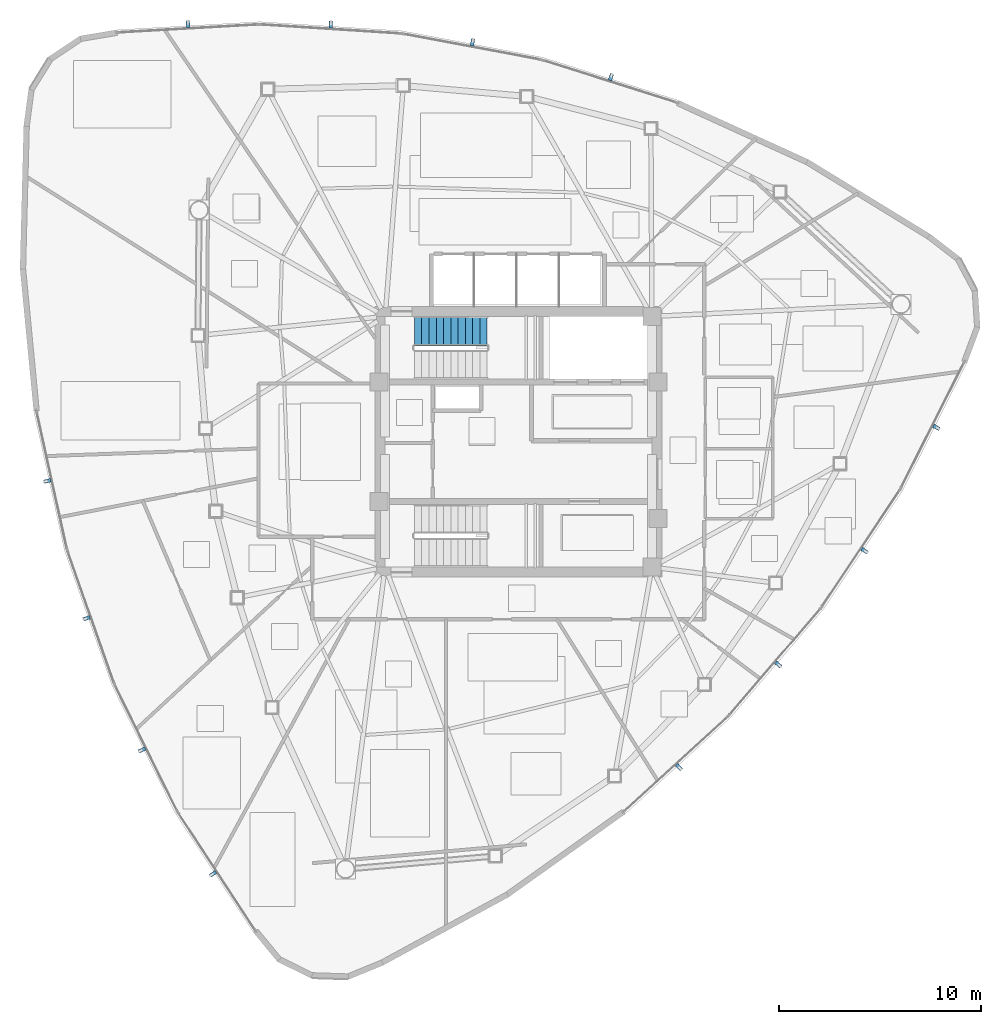
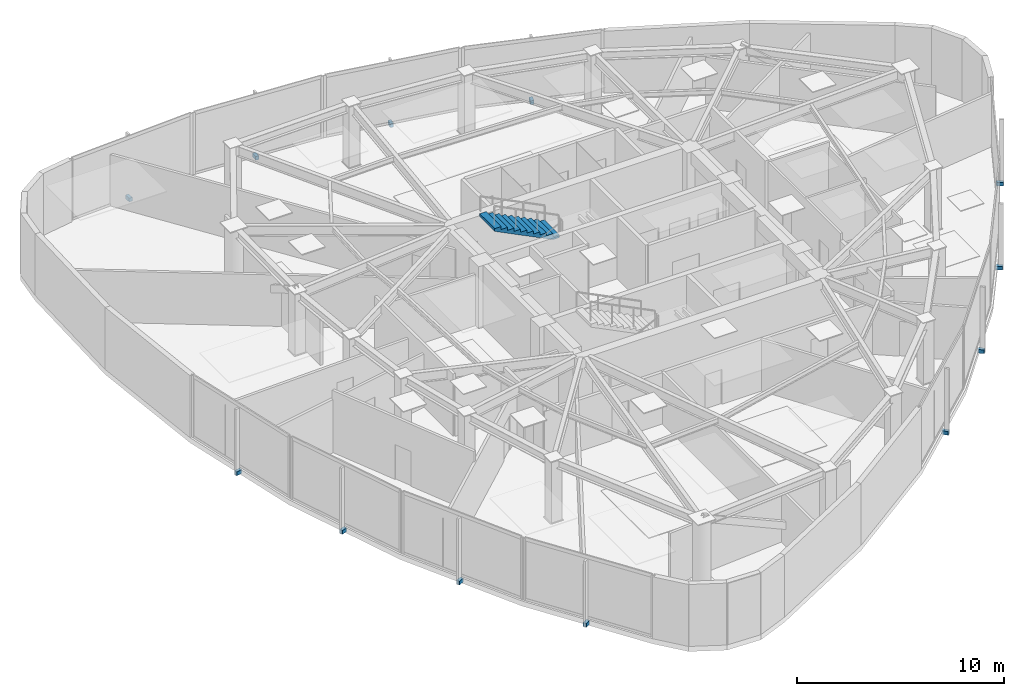
# One storey, part 11 of 14: 12 discrete accessories, 1 stair flight, 1 element without a shape of its own.
"""IFC4 building model written with IfcOpenShell, lengths in metres."""

from ifc_helpers import new_model, si_unit, direction, frame, origin, origin_2d, place, context, subcontext, project, spatial, polyline, rectangle, outline, extrude, source, transform, mapped, material, type_object, type_shapes, element, aggregate, save


model = new_model("IFC4")

# Units and contexts
model_context = context("Model", 3, precision=1e-05, world=origin(), true_north=direction((0.0, 1.0)))
body_context = subcontext(model_context, "Body", "Model", "MODEL_VIEW")
ifc_project = project(units=[si_unit("LENGTHUNIT", "METRE"), si_unit("AREAUNIT", "SQUARE_METRE"), si_unit("VOLUMEUNIT", "CUBIC_METRE"), si_unit("PLANEANGLEUNIT", "RADIAN"), si_unit("MASSUNIT", "GRAM", prefix="KILO")], contexts=[model_context])

# Site, building, storey
site_placement = place(None, origin())
site = spatial("IfcSite", under=ifc_project, at=site_placement, CompositionType="ELEMENT")
building_placement = place(site_placement, origin())
building = spatial("IfcBuilding", under=site, at=building_placement, Name="Tavelor Broadcast Tower", CompositionType="ELEMENT")
storey_placement = place(building_placement, frame((0.0, 0.0, 234.0)))
storey = spatial("IfcBuildingStorey", under=building, at=storey_placement, Name="L55", CompositionType="ELEMENT", Elevation=234.0)

# Stair, stair flight
ifc_material_1 = material(Name="Concrete C40/50", Category="concrete")
stair_type = type_object("IfcStairType", Name="Reinforced Concrete Protected Dogleg Stair 1450 mm", PredefinedType="HALF_TURN_STAIR", material=ifc_material_1)
stair_placement = place(storey_placement, origin())
stair = element("IfcStair", 1, at=stair_placement, inside=storey, type_object=stair_type, Name="L55 Protected Core Exit Stair ST1", PredefinedType="HALF_TURN_STAIR")
stair_flight_type = type_object("IfcStairFlightType", Name="Reinforced Concrete Stair Flight 1450 mm", PredefinedType="STRAIGHT", material=ifc_material_1)
stair_flight_placement = place(storey_placement, frame((48.449951171875, 50.47509765625, 1.97509765625), z_axis=(0.0, 0.0, 1.0), x_axis=(-1.0, 0.0, 0.0)))
stair_flight = element("IfcStairFlight", 2, at=stair_flight_placement, type_object=stair_flight_type, Name="ST1 flight 2", NumberOfRisers=11, NumberOfTreads=10, PredefinedType="STRAIGHT", RiserHeight=0.179545455, TreadLength=0.36, context=body_context, shape_type="SweptSolid", body=[
    extrude(outline(polyline([(0.0, 0.0), (0.0, 0.179443359375), (0.360107421875, 0.179443359375), (0.360107421875, 0.359130859375), (0.719970703125, 0.359130859375), (0.719970703125, 0.53857421875), (1.080078125, 0.53857421875), (1.080078125, 0.71826171875), (1.43994140625, 0.71826171875), (1.43994140625, 0.897705078125), (1.800048828125, 0.897705078125), (1.800048828125, 1.077392578125), (2.159912109375, 1.077392578125), (2.159912109375, 1.2568359375), (2.52001953125, 1.2568359375), (2.52001953125, 1.436279296875), (2.8798828125, 1.436279296875), (2.8798828125, 1.615966796875), (3.239990234375, 1.615966796875), (3.239990234375, 1.79541015625), (3.60009765625, 1.79541015625), (3.60009765625, 1.97509765625), (3.60009765625, 1.6279296875), (0.3359375, 0.0), (0.0, 0.0)])), frame((0.0, 0.72509765625, 0.0), z_axis=(0.0, -1.0, 0.0), x_axis=(1.0, 0.0, 0.0)), (0.0, 0.0, 1.0), 1.449951171875),
])
aggregate(stair, [stair_flight])

# Discrete accessories
ifc_material_2 = material(Name="Steel S355", Category="steel")
discrete_accessory_type = type_object("IfcDiscreteAccessoryType", Name="Stainless Baguette Outrigger Support Bracket 260x180", PredefinedType="BRACKET", material=ifc_material_2)
shared_shape = source(origin(), body_context, "Body", "SweptSolid", [
    extrude(rectangle(XDim=0.179931640625, YDim=0.340087890625, at=origin_2d()), origin(), (0.0, 0.0, 1.0), 0.216064453125),
])
type_shapes(discrete_accessory_type, [shared_shape])
for number, where, z_axis, x_axis, name in (
    (3, (26.69189453125, 43.058837890625, -0.2578125), (0.0, 0.0, 1.0), (0.215076237017, -0.976597262064, 0.0), "L55 Baguette Outrigger Bracket 565"),
    (4, (28.627197265625, 36.264404296875, -0.2578125), (0.0, 0.0, 1.0), (0.331831864835, -0.943338546589, 0.0), "L55 Baguette Outrigger Bracket 566"),
    (5, (31.37060546875, 29.754150390625, -0.2578125), (0.0, 0.0, 1.0), (0.443540529265, -0.896254315973, 0.0), "L55 Baguette Outrigger Bracket 567"),
    (6, (34.8818359375, 23.623779296875, -0.2578125), (0.0, 0.0, 1.0), (0.548731032748, -0.835998955561, 0.0), "L55 Baguette Outrigger Bracket 568"),
    (7, (57.935302734375, 28.90283203125, -0.2578125), (0.0, 0.0, 1.0), (0.738219919705, 0.674560116039, 0.0), "L55 Baguette Outrigger Bracket 569"),
    (8, (62.8515625, 33.976318359375, -0.2578125), (0.0, 0.0, 1.0), (0.651171681568, 0.758930458688, 0.0), "L55 Baguette Outrigger Bracket 570"),
    (9, (67.117919921875, 39.607177734375, -0.2578125), (0.0, 0.0, 1.0), (0.554408741251, 0.832244523938, 0.0), "L55 Baguette Outrigger Bracket 571"),
    (10, (70.671630859375, 45.713134765625, -0.2578125), (0.0, 0.0, 1.0), (0.449630816679, 0.893214491985, 0.0), "L55 Baguette Outrigger Bracket 572"),
    (11, (54.572998046875, 63.038330078125, -0.2578125), (0.0, 0.0, 1.0), (-0.953296156722, 0.302037146025, 0.0), "L55 Baguette Outrigger Bracket 573"),
    (12, (47.72119140625, 64.759521484375, -0.2578125), (0.0, 0.0, 1.0), (-0.982871078132, 0.184294448562, 0.0), "L55 Baguette Outrigger Bracket 574"),
    (13, (40.711181640625, 65.638671875, -0.2578125), (0.0, 0.0, 1.0), (-0.997949270516, 0.064009792035, 0.0), "L55 Baguette Outrigger Bracket 575"),
    (14, (33.646484375, 65.6630859375, -0.2578125), (0.0, 0.0, 1.0), (-0.998361849427, -0.057215536424, 0.0), "L55 Baguette Outrigger Bracket 576"),
):
    element("IfcDiscreteAccessory", number, at=place(storey_placement, frame(where, z_axis=z_axis, x_axis=x_axis)), inside=storey, type_object=discrete_accessory_type, Name=name, PredefinedType="BRACKET", context=body_context, shape_type="MappedRepresentation", body=[
        mapped(shared_shape, transform((0.0, 0.0, 0.0), scale=1.0)),
    ])

save(model, "model.ifc")
